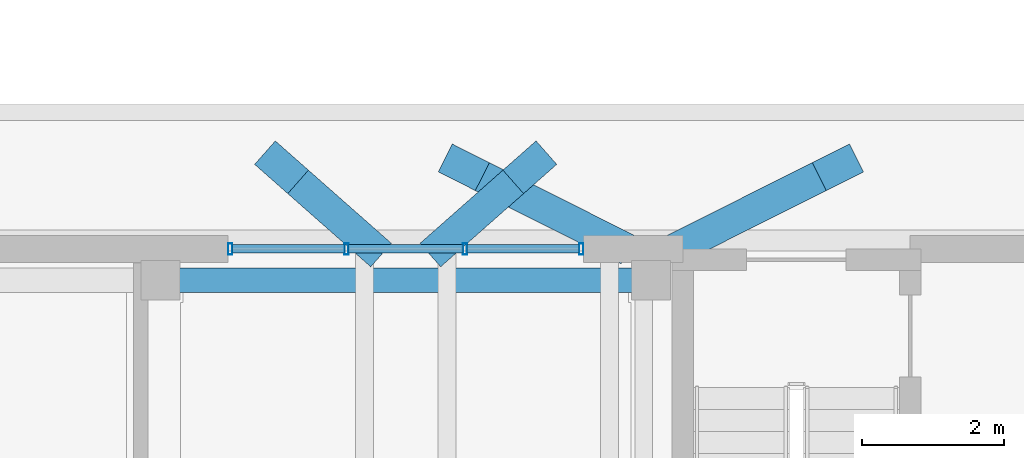
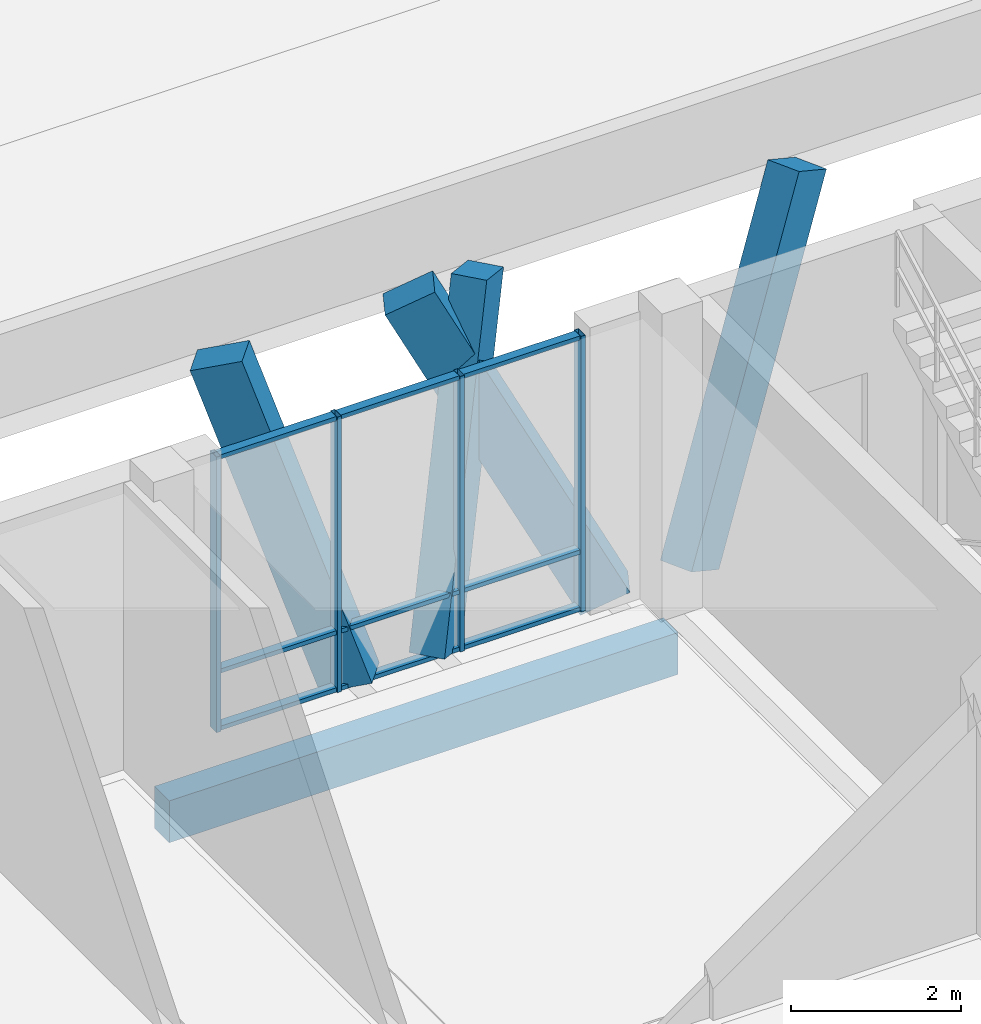
# One storey, part 142 of 233: 17 members, 1 beam, 1 element without a shape of its own.
"""IFC4 building model written with IfcOpenShell, lengths in metres."""

from ifc_helpers import new_model, si_unit, direction, frame, origin, origin_2d, place, context, subcontext, project, spatial, rectangle, hollow_rectangle, extrude, material, material_profile, profile_set, type_object, element, aggregate, save


model = new_model("IFC4")

# Units and contexts
model_context = context("Model", 3, precision=1e-05, world=origin(), true_north=direction((0.0, 1.0)))
body_context = subcontext(model_context, "Body", "Model", "MODEL_VIEW")
ifc_project = project(units=[si_unit("LENGTHUNIT", "METRE"), si_unit("AREAUNIT", "SQUARE_METRE"), si_unit("VOLUMEUNIT", "CUBIC_METRE"), si_unit("PLANEANGLEUNIT", "RADIAN"), si_unit("MASSUNIT", "GRAM", prefix="KILO")], contexts=[model_context])

# Site, building, storey
site_placement = place(None, origin())
site = spatial("IfcSite", under=ifc_project, at=site_placement, CompositionType="ELEMENT")
building_placement = place(site_placement, origin())
building = spatial("IfcBuilding", under=site, at=building_placement, Name="Zavelmont Quarter", CompositionType="ELEMENT")
storey_placement = place(building_placement, origin())
storey = spatial("IfcBuildingStorey", under=building, at=storey_placement, Name="L00", CompositionType="ELEMENT", Elevation=0.0)

# Beam
ifc_material_1 = material(Name="Concrete C35/45", Category="concrete")
ifc_material_profile_1 = material_profile(ifc_material_1, rectangle(XDim=0.35009765625, YDim=0.60009765625, at=origin_2d()), Name="RC350X600")
ifc_profile_set_1 = profile_set([ifc_material_profile_1], Name="Concrete C35/45")
beam_type = type_object("IfcBeamType", Name="BM01", PredefinedType="SPANDREL", material=ifc_profile_set_1)
beam_placement = place(storey_placement, frame((140.39990234375, 17.9599609375, -0.6201171875), z_axis=(1.0, 0.0, 0.0), x_axis=(0.0, 1.0, 0.0)))
element("IfcBeam", 1, at=beam_placement, inside=storey, type_object=beam_type, Name="L00 beam BM01 21/D to 22/D", PredefinedType="SPANDREL", context=body_context, shape_type="SweptSolid", body=[
    extrude(rectangle(XDim=0.35009765625, YDim=0.60009765625, at=origin_2d()), origin(), (0.0, 0.0, 1.0), 6.900146484375),
])

# Curtain wall, members
ifc_material_2 = material(Name="Thermally broken aluminium and double low-E safety glazing", Category="aluminium")
curtain_wall_type = type_object("IfcCurtainWallType", Name="CW-500X395", PredefinedType="NOTDEFINED", material=ifc_material_2)
curtain_wall_placement = place(storey_placement, origin())
curtain_wall = element("IfcCurtainWall", 2, at=curtain_wall_placement, inside=storey, type_object=curtain_wall_type, Name="L00 unitised curtain wall CW-500X395", PredefinedType="NOTDEFINED")
ifc_material_3 = material(Name="Powder-coated aluminium EN AW-6063-T6", Category="aluminium")
ifc_material_profile_2 = material_profile(ifc_material_3, hollow_rectangle(XDim=0.06005859375, YDim=0.159912109375, WallThickness=0.00390625, at=origin_2d()), Name="CWM60X160")
ifc_profile_set_2 = profile_set([ifc_material_profile_2], Name="Powder-coated aluminium EN AW-6063-T6")
member_type_1 = type_object("IfcMemberType", Name="CWM01", PredefinedType="MULLION", material=ifc_profile_set_2)
member_1_placement = place(storey_placement, frame((141.3798828125, 18.39990234375, 0.0), z_axis=(0.0, 0.0, 1.0), x_axis=(1.0, 0.0, 0.0)))
member_1 = element("IfcMember", 3, at=member_1_placement, type_object=member_type_1, Name="CW-500X395 mullion 1", PredefinedType="MULLION", context=body_context, shape_type="SweptSolid", body=[
    extrude(hollow_rectangle(XDim=0.06005859375, YDim=0.159912109375, WallThickness=0.00390625, at=origin_2d()), origin(), (0.0, 0.0, 1.0), 3.949951171875),
])
member_2_placement = place(storey_placement, frame((143.0166015625, 18.39990234375, 0.0), z_axis=(0.0, 0.0, 1.0), x_axis=(1.0, 0.0, 0.0)))
member_2 = element("IfcMember", 4, at=member_2_placement, type_object=member_type_1, Name="CW-500X395 mullion 2", PredefinedType="MULLION", context=body_context, shape_type="SweptSolid", body=[
    extrude(hollow_rectangle(XDim=0.06005859375, YDim=0.159912109375, WallThickness=0.00390625, at=origin_2d()), origin(), (0.0, 0.0, 1.0), 3.949951171875),
])
member_3_placement = place(storey_placement, frame((144.683349609375, 18.39990234375, 0.0), z_axis=(0.0, 0.0, 1.0), x_axis=(1.0, 0.0, 0.0)))
member_3 = element("IfcMember", 5, at=member_3_placement, type_object=member_type_1, Name="CW-500X395 mullion 3", PredefinedType="MULLION", context=body_context, shape_type="SweptSolid", body=[
    extrude(hollow_rectangle(XDim=0.06005859375, YDim=0.159912109375, WallThickness=0.00390625, at=origin_2d()), origin(), (0.0, 0.0, 1.0), 3.949951171875),
])
member_4_placement = place(storey_placement, frame((146.320068359375, 18.39990234375, 0.0), z_axis=(0.0, 0.0, 1.0), x_axis=(1.0, 0.0, 0.0)))
member_4 = element("IfcMember", 6, at=member_4_placement, type_object=member_type_1, Name="CW-500X395 mullion 4", PredefinedType="MULLION", context=body_context, shape_type="SweptSolid", body=[
    extrude(hollow_rectangle(XDim=0.06005859375, YDim=0.159912109375, WallThickness=0.00390625, at=origin_2d()), origin(), (0.0, 0.0, 1.0), 3.949951171875),
])
ifc_material_profile_3 = material_profile(ifc_material_3, hollow_rectangle(XDim=0.1201171875, YDim=0.06005859375, WallThickness=0.00390625, at=origin_2d()), Name="CWT60X120")
ifc_profile_set_3 = profile_set([ifc_material_profile_3], Name="Powder-coated aluminium EN AW-6063-T6")
member_type_2 = type_object("IfcMemberType", Name="CWT01", PredefinedType="NOTDEFINED", material=ifc_profile_set_3)
member_5_placement = place(storey_placement, frame((141.409912109375, 18.39990234375, 0.030029296875), z_axis=(1.0, 0.0, 0.0), x_axis=(0.0, 1.0, 0.0)))
member_5 = element("IfcMember", 7, at=member_5_placement, type_object=member_type_2, Name="CW-500X395 transom 1.1", ObjectType="TRANSOM", PredefinedType="USERDEFINED", context=body_context, shape_type="SweptSolid", body=[
    extrude(hollow_rectangle(XDim=0.1201171875, YDim=0.06005859375, WallThickness=0.00390625, at=origin_2d()), origin(), (0.0, 0.0, 1.0), 1.57666015625),
])
member_6_placement = place(storey_placement, frame((141.409912109375, 18.39990234375, 0.85009765625), z_axis=(1.0, 0.0, 0.0), x_axis=(0.0, 1.0, 0.0)))
member_6 = element("IfcMember", 8, at=member_6_placement, type_object=member_type_2, Name="CW-500X395 transom 1.2", ObjectType="TRANSOM", PredefinedType="USERDEFINED", context=body_context, shape_type="SweptSolid", body=[
    extrude(hollow_rectangle(XDim=0.1201171875, YDim=0.06005859375, WallThickness=0.00390625, at=origin_2d()), origin(), (0.0, 0.0, 1.0), 1.57666015625),
])
member_7_placement = place(storey_placement, frame((141.409912109375, 18.39990234375, 3.919921875), z_axis=(1.0, 0.0, 0.0), x_axis=(0.0, 1.0, 0.0)))
member_7 = element("IfcMember", 9, at=member_7_placement, type_object=member_type_2, Name="CW-500X395 transom 1.3", ObjectType="TRANSOM", PredefinedType="USERDEFINED", context=body_context, shape_type="SweptSolid", body=[
    extrude(hollow_rectangle(XDim=0.1201171875, YDim=0.06005859375, WallThickness=0.00390625, at=origin_2d()), origin(), (0.0, 0.0, 1.0), 1.57666015625),
])
member_8_placement = place(storey_placement, frame((143.046630859375, 18.39990234375, 0.030029296875), z_axis=(1.0, 0.0, 0.0), x_axis=(0.0, 1.0, 0.0)))
member_8 = element("IfcMember", 10, at=member_8_placement, type_object=member_type_2, Name="CW-500X395 transom 2.1", ObjectType="TRANSOM", PredefinedType="USERDEFINED", context=body_context, shape_type="SweptSolid", body=[
    extrude(hollow_rectangle(XDim=0.1201171875, YDim=0.06005859375, WallThickness=0.00390625, at=origin_2d()), origin(), (0.0, 0.0, 1.0), 1.606689453125),
])
member_9_placement = place(storey_placement, frame((143.046630859375, 18.39990234375, 0.85009765625), z_axis=(1.0, 0.0, 0.0), x_axis=(0.0, 1.0, 0.0)))
member_9 = element("IfcMember", 11, at=member_9_placement, type_object=member_type_2, Name="CW-500X395 transom 2.2", ObjectType="TRANSOM", PredefinedType="USERDEFINED", context=body_context, shape_type="SweptSolid", body=[
    extrude(hollow_rectangle(XDim=0.1201171875, YDim=0.06005859375, WallThickness=0.00390625, at=origin_2d()), origin(), (0.0, 0.0, 1.0), 1.606689453125),
])
member_10_placement = place(storey_placement, frame((143.046630859375, 18.39990234375, 3.919921875), z_axis=(1.0, 0.0, 0.0), x_axis=(0.0, 1.0, 0.0)))
member_10 = element("IfcMember", 12, at=member_10_placement, type_object=member_type_2, Name="CW-500X395 transom 2.3", ObjectType="TRANSOM", PredefinedType="USERDEFINED", context=body_context, shape_type="SweptSolid", body=[
    extrude(hollow_rectangle(XDim=0.1201171875, YDim=0.06005859375, WallThickness=0.00390625, at=origin_2d()), origin(), (0.0, 0.0, 1.0), 1.606689453125),
])
member_11_placement = place(storey_placement, frame((144.71337890625, 18.39990234375, 0.030029296875), z_axis=(1.0, 0.0, 0.0), x_axis=(0.0, 1.0, 0.0)))
member_11 = element("IfcMember", 13, at=member_11_placement, type_object=member_type_2, Name="CW-500X395 transom 3.1", ObjectType="TRANSOM", PredefinedType="USERDEFINED", context=body_context, shape_type="SweptSolid", body=[
    extrude(hollow_rectangle(XDim=0.1201171875, YDim=0.06005859375, WallThickness=0.00390625, at=origin_2d()), origin(), (0.0, 0.0, 1.0), 1.57666015625),
])
member_12_placement = place(storey_placement, frame((144.71337890625, 18.39990234375, 0.85009765625), z_axis=(1.0, 0.0, 0.0), x_axis=(0.0, 1.0, 0.0)))
member_12 = element("IfcMember", 14, at=member_12_placement, type_object=member_type_2, Name="CW-500X395 transom 3.2", ObjectType="TRANSOM", PredefinedType="USERDEFINED", context=body_context, shape_type="SweptSolid", body=[
    extrude(hollow_rectangle(XDim=0.1201171875, YDim=0.06005859375, WallThickness=0.00390625, at=origin_2d()), origin(), (0.0, 0.0, 1.0), 1.57666015625),
])
member_13_placement = place(storey_placement, frame((144.71337890625, 18.39990234375, 3.919921875), z_axis=(1.0, 0.0, 0.0), x_axis=(0.0, 1.0, 0.0)))
member_13 = element("IfcMember", 15, at=member_13_placement, type_object=member_type_2, Name="CW-500X395 transom 3.3", ObjectType="TRANSOM", PredefinedType="USERDEFINED", context=body_context, shape_type="SweptSolid", body=[
    extrude(hollow_rectangle(XDim=0.1201171875, YDim=0.06005859375, WallThickness=0.00390625, at=origin_2d()), origin(), (0.0, 0.0, 1.0), 1.57666015625),
])
aggregate(curtain_wall, [member_1, member_2, member_3, member_4, member_5, member_6, member_7, member_8, member_9, member_10, member_11, member_12, member_13])

# Members
ifc_material_4 = material(Name="White architectural precast concrete C40/50", Category="concrete")
ifc_material_profile_4 = material_profile(ifc_material_4, rectangle(XDim=0.43994140625, YDim=0.659912109375, at=origin_2d()), Name="PCR320X480")
ifc_profile_set_4 = profile_set([ifc_material_profile_4], Name="White architectural precast concrete C40/50")
member_type_3 = type_object("IfcMemberType", Name="VR01M", PredefinedType="CHORD", material=ifc_profile_set_4)
for number, where, z_axis, x_axis, name in (
    (16, (146.719970703125, 18.52001953125, 0.0), (-0.41354622227, 0.207535566999, 0.8865148112), (-0.448531381655, -0.893767083568, 0.0), "L00 member VR01M 22/D to 22/D"),
    (17, (147.8798828125, 18.52001953125, 0.0), (0.41358699911, 0.207531345058, 0.886496776636), (-0.448488766465, 0.893788468461, 0.0), "L00 member VR01M 22/D to 22/D"),
):
    element("IfcMember", number, at=place(storey_placement, frame(where, z_axis=z_axis, x_axis=x_axis)), inside=storey, type_object=member_type_3, Name=name, PredefinedType="CHORD", context=body_context, shape_type="SweptSolid", body=[
        extrude(rectangle(XDim=0.43994140625, YDim=0.659912109375, at=origin_2d()), origin(), (0.0, 0.0, 1.0), 4.963134765625),
    ])
for number, where, z_axis, x_axis, name in (
    (18, (143.27001953125, 18.52001953125, 0.0), (-0.250143755198, 0.220693538933, 0.942720777117), (-0.661585331834, -0.749869887848, 0.0), "L00 member VR01M 21/D to 21/D"),
    (19, (144.429931640625, 18.52001953125, 0.0), (0.250143755198, 0.220693538933, 0.942720777117), (-0.661585331834, 0.749869887848, 0.0), "L00 member VR01M 22/D to 22/D"),
):
    element("IfcMember", number, at=place(storey_placement, frame(where, z_axis=z_axis, x_axis=x_axis)), inside=storey, type_object=member_type_3, Name=name, PredefinedType="CHORD", context=body_context, shape_type="SweptSolid", body=[
        extrude(rectangle(XDim=0.43994140625, YDim=0.659912109375, at=origin_2d()), origin(), (0.0, 0.0, 1.0), 4.667236328125),
    ])

save(model, "model.ifc")
